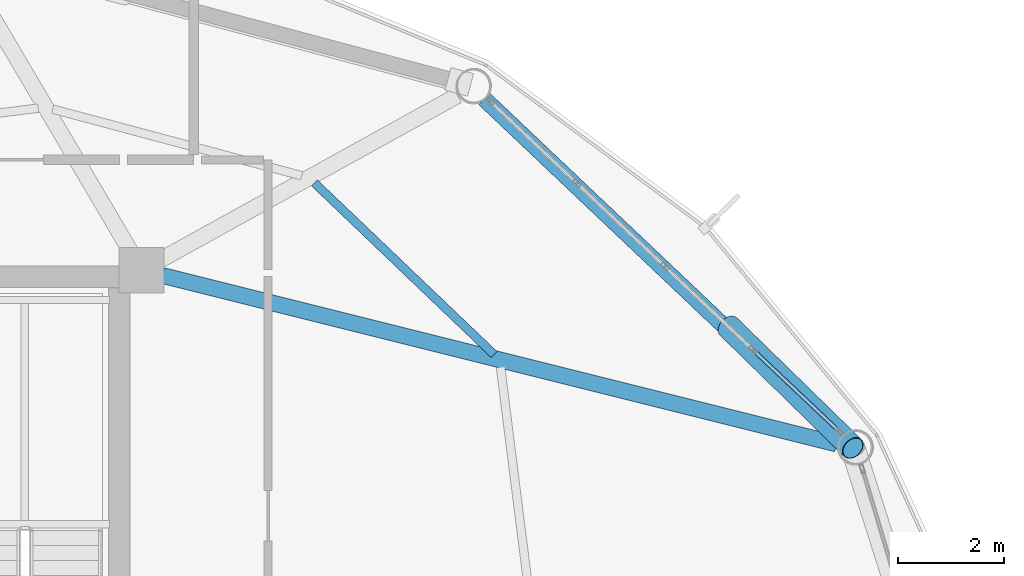
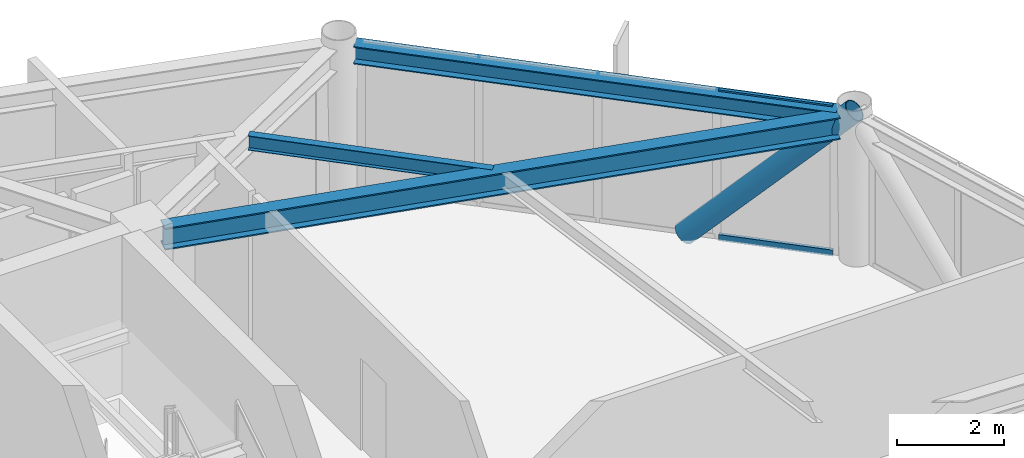
# One storey, part 14 of 25: 3 beams, 3 members, 1 element without a shape of its own.
"""IFC4 building model written with IfcOpenShell, lengths in metres."""

from ifc_helpers import new_model, si_unit, direction, frame, origin, origin_2d, place, context, subcontext, project, spatial, hollow_rectangle, hollow_circle, i_section, extrude, material, layer, layer_set, material_profile, profile_set, type_object, element, aggregate, save


model = new_model("IFC4")

# Units and contexts
model_context = context("Model", 3, precision=1e-05, world=origin(), true_north=direction((0.0, 1.0)))
body_context = subcontext(model_context, "Body", "Model", "MODEL_VIEW")
ifc_project = project(units=[si_unit("LENGTHUNIT", "METRE"), si_unit("AREAUNIT", "SQUARE_METRE"), si_unit("VOLUMEUNIT", "CUBIC_METRE"), si_unit("PLANEANGLEUNIT", "RADIAN"), si_unit("MASSUNIT", "GRAM", prefix="KILO")], contexts=[model_context])

# Site, building, storey
site_placement = place(None, origin())
site = spatial("IfcSite", under=ifc_project, at=site_placement, CompositionType="ELEMENT")
building_placement = place(site_placement, origin())
building = spatial("IfcBuilding", under=site, at=building_placement, Name="Varnakorn Sky Granary", CompositionType="ELEMENT")
storey_placement = place(building_placement, frame((0.0, 0.0, 178.800048828125)))
storey = spatial("IfcBuildingStorey", under=building, at=storey_placement, Name="L44", CompositionType="ELEMENT", Elevation=178.800048828125)

# Beams
ifc_material_1 = material(Name="Steel S355JR", Category="steel")
ifc_material_profile_1 = material_profile(ifc_material_1, i_section(OverallWidth=0.300048828125, OverallDepth=0.5, WebThickness=0.014404296875, FlangeThickness=0.028076171875, at=origin_2d()), Name="HE 500 B")
ifc_profile_set_1 = profile_set([ifc_material_profile_1], Name="Steel S355JR")
beam_type_1 = type_object("IfcBeamType", Name="BM-RAD-Z4", PredefinedType="BEAM", material=ifc_profile_set_1)
beam_1_placement = place(storey_placement, frame((8.81298828125, 12.521728515625, 3.10986328125), z_axis=(0.970145794243, -0.242522448265, 0.0), x_axis=(0.242522448265, 0.970145794243, 0.0)))
element("IfcBeam", 1, at=beam_1_placement, inside=storey, type_object=beam_type_1, Name="Radial Floor Girder RG02 L44", PredefinedType="BEAM", context=body_context, shape_type="SweptSolid", body=[
    extrude(i_section(OverallWidth=0.300048828125, OverallDepth=0.5, WebThickness=0.014404296875, FlangeThickness=0.028076171875, at=origin_2d()), origin(), (0.0, 0.0, 1.0), 13.07861328125),
])
ifc_material_profile_2 = material_profile(ifc_material_1, i_section(OverallWidth=0.159912109375, OverallDepth=0.330078125, WebThickness=0.007568359375, FlangeThickness=0.011474609375, at=origin_2d()), Name="IPE 330")
ifc_profile_set_2 = profile_set([ifc_material_profile_2], Name="Steel S355JR")
beam_type_2 = type_object("IfcBeamType", Name="BM-SEC-Z4", PredefinedType="BEAM", material=ifc_profile_set_2)
beam_2_placement = place(storey_placement, frame((15.055908203125, 11.03271484375, 3.195068359375), z_axis=(-0.723140022375, 0.690701460864, 0.0), x_axis=(-0.690701460864, -0.723140022375, 0.0)))
element("IfcBeam", 2, at=beam_2_placement, inside=storey, type_object=beam_type_2, Name="Secondary Floor Chord Beam MSB02 L44", PredefinedType="BEAM", context=body_context, shape_type="SweptSolid", body=[
    extrude(i_section(OverallWidth=0.159912109375, OverallDepth=0.330078125, WebThickness=0.007568359375, FlangeThickness=0.011474609375, at=origin_2d()), origin(), (0.0, 0.0, 1.0), 4.681396484375),
])
ifc_material_profile_3 = material_profile(ifc_material_1, i_section(OverallWidth=0.300048828125, OverallDepth=0.39990234375, WebThickness=0.013427734375, FlangeThickness=0.02392578125, at=origin_2d()), Name="HE 400 B")
ifc_profile_set_3 = profile_set([ifc_material_profile_3], Name="Steel S355JR")
beam_type_3 = type_object("IfcBeamType", Name="BM-SPD-Z4", PredefinedType="SPANDREL", material=ifc_profile_set_3)
beam_3_placement = place(storey_placement, frame((21.578125, 9.489990234375, 3.159912109375), z_axis=(-0.725986697068, 0.687708743351, 0.0), x_axis=(-0.687708743351, -0.725986697068, 0.0)))
element("IfcBeam", 3, at=beam_3_placement, inside=storey, type_object=beam_type_3, Name="Perimeter Spandrel Ring Beam RB02 L44", PredefinedType="SPANDREL", context=body_context, shape_type="SweptSolid", body=[
    extrude(i_section(OverallWidth=0.300048828125, OverallDepth=0.39990234375, WebThickness=0.013427734375, FlangeThickness=0.02392578125, at=origin_2d()), origin(), (0.0, 0.0, 1.0), 9.241943359375),
])

# Curtain wall, members
ifc_material_2 = material(Name="Anodised Bronze Aluminium Alloy 6063-T6", Category="aluminium")
ifc_layer = layer(ifc_material_2, 0.169921875, Name="Anodised Bronze Aluminium Alloy 6063-T6")
ifc_layer_set = layer_set([ifc_layer], Name="Anodised Bronze Aluminium Alloy 6063-T6")
curtain_wall_type = type_object("IfcCurtainWallType", Name="CW-LAB-1", PredefinedType="USERDEFINED", material=ifc_layer_set)
curtain_wall_placement = place(storey_placement, origin())
curtain_wall = element("IfcCurtainWall", 4, at=curtain_wall_placement, inside=storey, type_object=curtain_wall_type, Name="Unitised Curtain Wall CW5 CW-L44-B02", ObjectType="CURTAIN WALL", PredefinedType="USERDEFINED")
ifc_material_profile_4 = material_profile(ifc_material_2, hollow_rectangle(XDim=0.070068359375, YDim=0.139892578125, WallThickness=0.00341796875, at=origin_2d()), Name="ALU TRAN 70x140")
ifc_profile_set_4 = profile_set([ifc_material_profile_4], Name="Anodised Bronze Aluminium Alloy 6063-T6")
member_type_1 = type_object("IfcMemberType", Name="CW-LAB-1-TRAN", PredefinedType="USERDEFINED", material=ifc_profile_set_4)
member_1_placement = place(storey_placement, frame((19.948974609375, 11.1025390625, 0.034912109375), z_axis=(0.726525784747, -0.687139202854, 0.0), x_axis=(0.687139202854, 0.726525784747, 0.0)))
member_1 = element("IfcMember", 5, at=member_1_placement, type_object=member_type_1, Name="CW5 transom 4.1", ObjectType="TRANSOM", PredefinedType="USERDEFINED", context=body_context, shape_type="SweptSolid", body=[
    extrude(hollow_rectangle(XDim=0.070068359375, YDim=0.139892578125, WallThickness=0.00341796875, at=origin_2d()), origin(), (0.0, 0.0, 1.0), 2.181884765625),
])
member_2_placement = place(storey_placement, frame((19.948974609375, 11.1025390625, 3.324951171875), z_axis=(0.726525784747, -0.687139202854, 0.0), x_axis=(0.687139202854, 0.726525784747, 0.0)))
member_2 = element("IfcMember", 6, at=member_2_placement, type_object=member_type_1, Name="CW5 transom 4.2", ObjectType="TRANSOM", PredefinedType="USERDEFINED", context=body_context, shape_type="SweptSolid", body=[
    extrude(hollow_rectangle(XDim=0.070068359375, YDim=0.139892578125, WallThickness=0.00341796875, at=origin_2d()), origin(), (0.0, 0.0, 1.0), 2.181884765625),
])
aggregate(curtain_wall, [member_1, member_2])

# Member
ifc_material_3 = material(Name="Steel S460M", Category="steel")
ifc_material_profile_5 = material_profile(ifc_material_3, hollow_circle(Radius=0.228515625, WallThickness=0.01611328125, at=origin_2d()), Name="CHS 457x16")
ifc_profile_set_5 = profile_set([ifc_material_profile_5], Name="Steel S460M")
member_type_2 = type_object("IfcMemberType", Name="MB-DIAG-T3", PredefinedType="BRACE", material=ifc_profile_set_5)
member_3_placement = place(storey_placement, frame((19.4677734375, 11.5576171875, 0.0), z_axis=(0.498954289496, -0.487236857585, 0.716690213135), x_axis=(0.698655977756, 0.71545777286, 0.0)))
element("IfcMember", 7, at=member_3_placement, inside=storey, type_object=member_type_2, Name="Perimeter CHS Diagrid Brace DG02 L44", PredefinedType="BRACE", context=body_context, shape_type="SweptSolid", body=[
    extrude(hollow_circle(Radius=0.228515625, WallThickness=0.01611328125, at=origin_2d()), origin(), (0.0, 0.0, 1.0), 4.68798828125),
])

save(model, "model.ifc")
